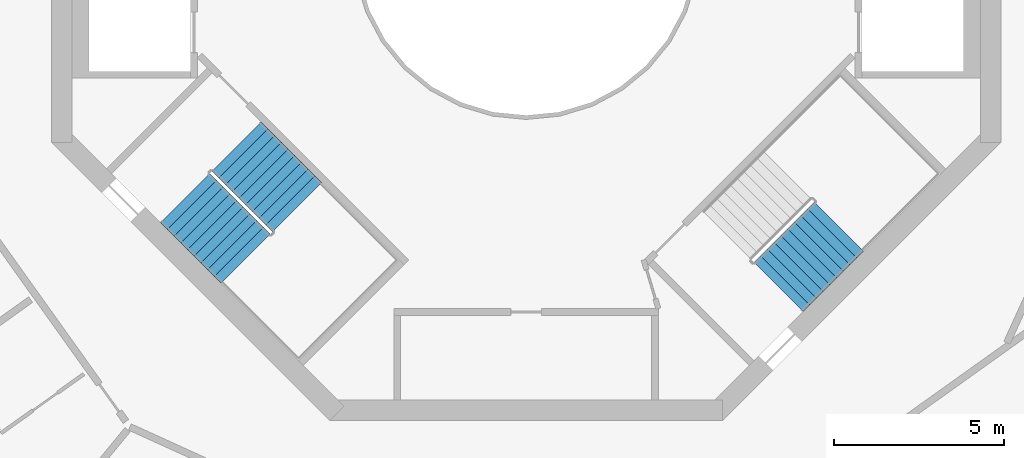
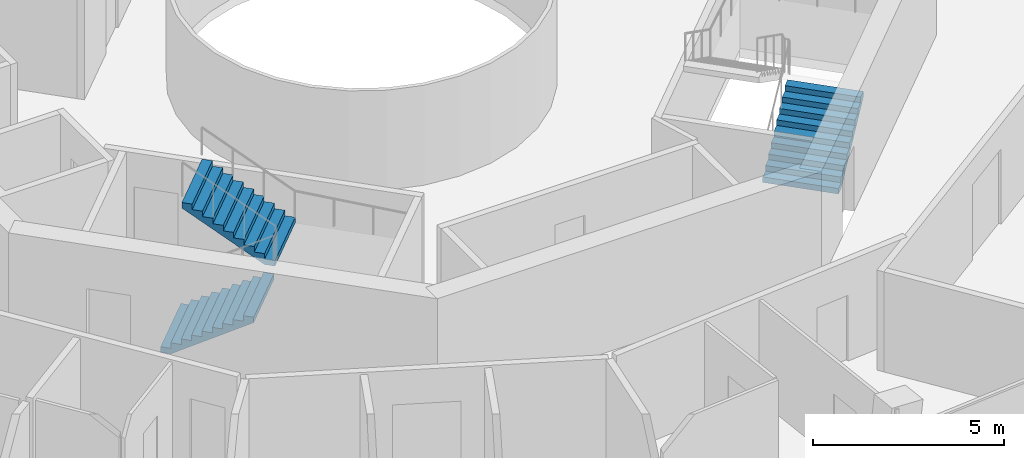
# One storey, part 20 of 22: 3 stair flights, 2 elements without a shape of their own.
"""IFC4 building model written with IfcOpenShell, lengths in metres."""

from ifc_helpers import new_model, si_unit, direction, frame, origin, place, context, subcontext, project, spatial, triangles, material, type_object, element, aggregate, save


model = new_model("IFC4")

# Units and contexts
model_context = context("Model", 3, precision=1e-05, world=origin(), true_north=direction((0.0, 1.0)))
body_context = subcontext(model_context, "Body", "Model", "MODEL_VIEW")
ifc_project = project(units=[si_unit("LENGTHUNIT", "METRE"), si_unit("AREAUNIT", "SQUARE_METRE"), si_unit("VOLUMEUNIT", "CUBIC_METRE"), si_unit("PLANEANGLEUNIT", "RADIAN"), si_unit("MASSUNIT", "GRAM", prefix="KILO")], contexts=[model_context])

# Site, building, storey
site_placement = place(None, origin())
site = spatial("IfcSite", under=ifc_project, at=site_placement, CompositionType="ELEMENT")
building_placement = place(site_placement, origin())
building = spatial("IfcBuilding", under=site, at=building_placement, Name="Verdalira Terraces Hotel", CompositionType="ELEMENT")
storey_placement = place(building_placement, frame((0.0, 0.0, 180.0)))
storey = spatial("IfcBuildingStorey", under=building, at=storey_placement, Name="L43", CompositionType="ELEMENT", Elevation=180.0)

# Stair, stair flights
ifc_material_1 = material(Name="Concrete C40", Category="concrete")
stair_type = type_object("IfcStairType", Name="Core stair 20 risers 2050 mm wide", PredefinedType="HALF_TURN_STAIR", material=ifc_material_1)
stair_1_placement = place(storey_placement, origin())
stair_1 = element("IfcStair", 1, at=stair_1_placement, inside=storey, type_object=stair_type, Name="L43 Exit stair ST2", PredefinedType="HALF_TURN_STAIR")
ifc_material_2 = material(Name="Concrete C40", Category="concrete")
stair_flight_type = type_object("IfcStairFlightType", Name="Core stair flight 20 risers 2050 mm wide", PredefinedType="STRAIGHT", material=ifc_material_2)
stair_flight_1_placement = place(storey_placement, frame((-10.058594, -7.442383, 0.0), z_axis=(0.0, 0.0, 1.0), x_axis=(0.707106781, -0.707106781, 0.0)))
stair_flight_1 = element("IfcStairFlight", 2, at=stair_flight_1_placement, type_object=stair_flight_type, Name="ST2 flight 1", NumberOfRisers=10, NumberOfTreads=9, PredefinedType="STRAIGHT", RiserHeight=0.175, TreadLength=0.28, context=body_context, shape_type="Tessellation", body=[
    triangles([(0.0, 1.025024, 0.0), (0.282715, 1.025024, 0.0), (2.52002, 1.025024, 1.398193), (0.0, -1.025024, 0.0), (0.282715, -1.025024, 0.0), (2.52002, -1.025024, 1.398193), (2.52002, 1.025024, 1.574951), (2.23999, 1.025024, 1.574951), (2.52002, -1.025024, 1.574951), (2.23999, -1.025024, 1.574951), (2.23999, 1.025024, 1.399902), (2.23999, -1.025024, 1.399902), (1.959961, 1.025024, 1.399902), (1.959961, -1.025024, 1.399902), (1.959961, 1.025024, 1.225098), (1.959961, -1.025024, 1.225098), (1.679932, 1.025024, 1.225098), (1.679932, 1.025024, 1.050049), (1.679932, -1.025024, 1.225098), (1.679932, -1.025024, 1.050049), (1.399902, 1.025024, 1.050049), (1.399902, 1.025024, 0.875), (1.399902, -1.025024, 1.050049), (1.399902, -1.025024, 0.875), (1.120117, 1.025024, 0.875), (1.120117, 1.025024, 0.699951), (1.120117, -1.025024, 0.875), (1.120117, -1.025024, 0.699951), (0.840088, 1.025024, 0.699951), (0.840088, 1.025024, 0.524902), (0.840088, -1.025024, 0.699951), (0.840088, -1.025024, 0.524902), (0.560059, 1.025024, 0.524902), (0.560059, 1.025024, 0.350098), (0.560059, -1.025024, 0.524902), (0.560059, -1.025024, 0.350098), (0.280029, 1.025024, 0.350098), (0.280029, 1.025024, 0.175049), (0.280029, -1.025024, 0.350098), (0.280029, -1.025024, 0.175049), (0.0, 1.025024, 0.175049), (0.0, -1.025024, 0.175049), (0.0, -0.96096, 0.0), (0.0, -0.96096, 0.175049), (0.0, -0.896896, 0.0), (0.0, -0.896896, 0.175049), (0.0, -0.832832, 0.0), (0.0, -0.832832, 0.175049), (0.0, -0.768768, 0.0), (0.0, -0.768768, 0.175049), (0.0, -0.704704, 0.0), (0.0, -0.704704, 0.175049), (0.0, -0.64064, 0.0), (0.0, -0.64064, 0.175049), (0.0, -0.576576, 0.0), (0.0, -0.576576, 0.175049), (0.0, -0.512512, 0.0), (0.0, -0.512512, 0.175049), (0.0, -0.448448, 0.0), (0.0, -0.448448, 0.175049), (0.0, -0.384384, 0.0), (0.0, -0.384384, 0.175049), (0.0, -0.32032, 0.0), (0.0, -0.32032, 0.175049), (0.0, -0.256256, 0.0), (0.0, -0.256256, 0.175049), (0.0, -0.192192, 0.0), (0.0, -0.192192, 0.175049), (0.0, -0.128128, 0.0), (0.0, -0.128128, 0.175049), (0.0, -0.064064, 0.0), (0.0, -0.064064, 0.175049), (0.0, 0.0, 0.0), (0.0, 0.0, 0.175049), (0.0, 0.064064, 0.0), (0.0, 0.064064, 0.175049), (0.0, 0.128128, 0.0), (0.0, 0.128128, 0.175049), (0.0, 0.192192, 0.0), (0.0, 0.192192, 0.175049), (0.0, 0.256256, 0.0), (0.0, 0.256256, 0.175049), (0.0, 0.32032, 0.0), (0.0, 0.32032, 0.175049), (0.0, 0.384384, 0.0), (0.0, 0.384384, 0.175049), (0.0, 0.448448, 0.0), (0.0, 0.448448, 0.175049), (0.0, 0.512512, 0.0), (0.0, 0.512512, 0.175049), (0.0, 0.576576, 0.0), (0.0, 0.576576, 0.175049), (0.0, 0.64064, 0.0), (0.0, 0.64064, 0.175049), (0.0, 0.704704, 0.0), (0.0, 0.704704, 0.175049), (0.0, 0.768768, 0.0), (0.0, 0.768768, 0.175049), (0.0, 0.832832, 0.0), (0.0, 0.832832, 0.175049), (0.0, 0.896896, 0.0), (0.0, 0.896896, 0.175049), (0.0, 0.96096, 0.0), (0.0, 0.96096, 0.175049), (2.52002, -0.96096, 1.574951), (2.52002, -0.896896, 1.574951), (2.52002, -0.832832, 1.574951), (2.52002, -0.768768, 1.574951), (2.52002, -0.704704, 1.574951), (2.52002, -0.64064, 1.574951), (2.52002, -0.576576, 1.574951), (2.52002, -0.512512, 1.574951), (2.52002, -0.448448, 1.574951), (2.52002, -0.384384, 1.574951), (2.52002, -0.32032, 1.574951), (2.52002, -0.256256, 1.574951), (2.52002, -0.192192, 1.574951), (2.52002, -0.128128, 1.574951), (2.52002, -0.064064, 1.574951), (2.52002, 0.0, 1.574951), (2.52002, 0.064064, 1.574951), (2.52002, 0.128128, 1.574951), (2.52002, 0.192192, 1.574951), (2.52002, 0.256256, 1.574951), (2.52002, 0.32032, 1.574951), (2.52002, 0.384384, 1.574951), (2.52002, 0.448448, 1.574951), (2.52002, 0.512512, 1.574951), (2.52002, 0.576576, 1.574951), (2.52002, 0.64064, 1.574951), (2.52002, 0.704704, 1.574951), (2.52002, 0.768768, 1.574951), (2.52002, 0.832832, 1.574951), (2.52002, 0.896896, 1.574951), (2.52002, 0.96096, 1.574951), (2.52002, -0.96096, 1.398193), (2.52002, -0.896896, 1.398193), (2.52002, -0.832832, 1.398193), (2.52002, -0.768768, 1.398193), (2.52002, -0.704704, 1.398193), (2.52002, -0.64064, 1.398193), (2.52002, -0.576576, 1.398193), (2.52002, -0.512512, 1.398193), (2.52002, -0.448448, 1.398193), (2.52002, -0.384384, 1.398193), (2.52002, -0.32032, 1.398193), (2.52002, -0.256256, 1.398193), (2.52002, -0.192192, 1.398193), (2.52002, -0.128128, 1.398193), (2.52002, -0.064064, 1.398193), (2.52002, 0.0, 1.398193), (2.52002, 0.064064, 1.398193), (2.52002, 0.128128, 1.398193), (2.52002, 0.192192, 1.398193), (2.52002, 0.256256, 1.398193), (2.52002, 0.32032, 1.398193), (2.52002, 0.384384, 1.398193), (2.52002, 0.448448, 1.398193), (2.52002, 0.512512, 1.398193), (2.52002, 0.576576, 1.398193), (2.52002, 0.64064, 1.398193), (2.52002, 0.704704, 1.398193), (2.52002, 0.768768, 1.398193), (2.52002, 0.832832, 1.398193), (2.52002, 0.896896, 1.398193), (2.52002, 0.96096, 1.398193)], [[1, 3, 2], [4, 5, 6], [3, 8, 7], [6, 9, 10], [3, 11, 8], [6, 10, 12], [3, 13, 11], [6, 12, 14], [3, 15, 13], [6, 14, 16], [15, 18, 17], [16, 19, 20], [3, 18, 15], [6, 16, 20], [18, 22, 21], [20, 23, 24], [3, 22, 18], [6, 20, 24], [22, 26, 25], [24, 27, 28], [3, 26, 22], [6, 24, 28], [26, 30, 29], [28, 31, 32], [3, 30, 26], [6, 28, 32], [1, 30, 3], [4, 6, 32], [30, 34, 33], [32, 35, 36], [34, 38, 37], [36, 39, 40], [30, 38, 34], [32, 36, 40], [1, 38, 30], [4, 32, 40], [38, 1, 41], [40, 42, 4], [4, 44, 43], [4, 42, 44], [43, 46, 45], [43, 44, 46], [45, 48, 47], [45, 46, 48], [47, 50, 49], [47, 48, 50], [49, 52, 51], [49, 50, 52], [51, 54, 53], [51, 52, 54], [53, 56, 55], [53, 54, 56], [55, 58, 57], [55, 56, 58], [57, 60, 59], [57, 58, 60], [59, 62, 61], [59, 60, 62], [61, 64, 63], [61, 62, 64], [63, 66, 65], [63, 64, 66], [65, 68, 67], [65, 66, 68], [67, 70, 69], [67, 68, 70], [69, 72, 71], [69, 70, 72], [71, 74, 73], [71, 72, 74], [73, 76, 75], [73, 74, 76], [75, 78, 77], [75, 76, 78], [77, 80, 79], [77, 78, 80], [79, 82, 81], [79, 80, 82], [81, 84, 83], [81, 82, 84], [83, 86, 85], [83, 84, 86], [85, 88, 87], [85, 86, 88], [87, 90, 89], [87, 88, 90], [89, 92, 91], [89, 90, 92], [91, 94, 93], [91, 92, 94], [93, 96, 95], [93, 94, 96], [95, 98, 97], [95, 96, 98], [97, 100, 99], [97, 98, 100], [99, 102, 101], [99, 100, 102], [101, 104, 103], [101, 102, 104], [103, 41, 1], [103, 104, 41], [42, 40, 44], [44, 40, 46], [46, 40, 48], [48, 40, 50], [50, 40, 52], [52, 40, 54], [54, 40, 56], [56, 40, 58], [58, 40, 60], [60, 40, 62], [62, 40, 64], [64, 40, 66], [66, 40, 68], [68, 40, 70], [70, 40, 72], [72, 40, 74], [74, 40, 76], [76, 40, 78], [78, 40, 80], [80, 40, 82], [82, 40, 84], [84, 40, 86], [86, 40, 88], [88, 40, 90], [90, 40, 92], [92, 40, 94], [94, 40, 96], [96, 40, 98], [98, 40, 100], [100, 40, 102], [102, 40, 104], [104, 40, 41], [41, 40, 38], [40, 37, 38], [40, 39, 37], [39, 34, 37], [39, 36, 34], [36, 33, 34], [36, 35, 33], [35, 30, 33], [35, 32, 30], [32, 29, 30], [32, 31, 29], [31, 26, 29], [31, 28, 26], [28, 25, 26], [28, 27, 25], [27, 22, 25], [27, 24, 22], [24, 21, 22], [24, 23, 21], [23, 18, 21], [23, 20, 18], [20, 17, 18], [20, 19, 17], [19, 15, 17], [19, 16, 15], [16, 13, 15], [16, 14, 13], [14, 11, 13], [14, 12, 11], [12, 8, 11], [12, 10, 8], [9, 105, 10], [105, 106, 10], [106, 107, 10], [107, 108, 10], [108, 109, 10], [109, 110, 10], [110, 111, 10], [111, 112, 10], [112, 113, 10], [113, 114, 10], [114, 115, 10], [115, 116, 10], [116, 117, 10], [117, 118, 10], [118, 119, 10], [119, 120, 10], [120, 121, 10], [121, 122, 10], [122, 123, 10], [123, 124, 10], [124, 125, 10], [125, 126, 10], [126, 127, 10], [127, 128, 10], [128, 129, 10], [129, 130, 10], [130, 131, 10], [131, 132, 10], [132, 133, 10], [133, 134, 10], [134, 135, 10], [135, 7, 10], [7, 8, 10], [9, 136, 105], [9, 6, 136], [105, 137, 106], [105, 136, 137], [106, 138, 107], [106, 137, 138], [107, 139, 108], [107, 138, 139], [108, 140, 109], [108, 139, 140], [109, 141, 110], [109, 140, 141], [110, 142, 111], [110, 141, 142], [111, 143, 112], [111, 142, 143], [112, 144, 113], [112, 143, 144], [113, 145, 114], [113, 144, 145], [114, 146, 115], [114, 145, 146], [115, 147, 116], [115, 146, 147], [116, 148, 117], [116, 147, 148], [117, 149, 118], [117, 148, 149], [118, 150, 119], [118, 149, 150], [119, 151, 120], [119, 150, 151], [120, 152, 121], [120, 151, 152], [121, 153, 122], [121, 152, 153], [122, 154, 123], [122, 153, 154], [123, 155, 124], [123, 154, 155], [124, 156, 125], [124, 155, 156], [125, 157, 126], [125, 156, 157], [126, 158, 127], [126, 157, 158], [127, 159, 128], [127, 158, 159], [128, 160, 129], [128, 159, 160], [129, 161, 130], [129, 160, 161], [130, 162, 131], [130, 161, 162], [131, 163, 132], [131, 162, 163], [132, 164, 133], [132, 163, 164], [133, 165, 134], [133, 164, 165], [134, 166, 135], [134, 165, 166], [135, 3, 7], [135, 166, 3], [6, 5, 136], [136, 5, 137], [137, 5, 138], [138, 5, 139], [139, 5, 140], [140, 5, 141], [141, 5, 142], [142, 5, 143], [143, 5, 144], [144, 5, 145], [145, 5, 146], [146, 5, 147], [147, 5, 148], [148, 5, 149], [149, 5, 150], [150, 5, 151], [151, 5, 152], [152, 5, 153], [153, 5, 154], [154, 5, 155], [155, 5, 156], [156, 5, 157], [157, 5, 158], [158, 5, 159], [159, 5, 160], [160, 5, 161], [161, 5, 162], [162, 5, 163], [163, 5, 164], [164, 5, 165], [165, 5, 166], [166, 5, 3], [3, 5, 2], [4, 43, 5], [43, 45, 5], [45, 47, 5], [47, 49, 5], [49, 51, 5], [51, 53, 5], [53, 55, 5], [55, 57, 5], [57, 59, 5], [59, 61, 5], [61, 63, 5], [63, 65, 5], [65, 67, 5], [67, 69, 5], [69, 71, 5], [71, 73, 5], [73, 75, 5], [75, 77, 5], [77, 79, 5], [79, 81, 5], [81, 83, 5], [83, 85, 5], [85, 87, 5], [87, 89, 5], [89, 91, 5], [91, 93, 5], [93, 95, 5], [95, 97, 5], [97, 99, 5], [99, 101, 5], [101, 103, 5], [103, 1, 5], [1, 2, 5]], closed=True),
])
stair_flight_2_placement = place(storey_placement, frame((-6.756348, -7.703857, 1.75), z_axis=(0.0, 0.0, 1.0), x_axis=(-0.707106781, 0.707106781, 0.0)))
stair_flight_2 = element("IfcStairFlight", 3, at=stair_flight_2_placement, type_object=stair_flight_type, Name="ST2 flight 2", NumberOfRisers=10, NumberOfTreads=9, PredefinedType="STRAIGHT", RiserHeight=0.175, TreadLength=0.28, context=body_context, shape_type="Tessellation", body=[
    triangles([(0.0, 1.025024, 0.0), (0.282715, 1.025024, 0.0), (2.52002, 1.025024, 1.398193), (0.0, -1.025024, 0.0), (0.282715, -1.025024, 0.0), (2.52002, -1.025024, 1.398193), (2.52002, 1.025024, 1.574951), (2.23999, 1.025024, 1.574951), (2.52002, -1.025024, 1.574951), (2.23999, -1.025024, 1.574951), (2.23999, 1.025024, 1.399902), (2.23999, -1.025024, 1.399902), (1.959961, 1.025024, 1.399902), (1.959961, -1.025024, 1.399902), (1.959961, 1.025024, 1.225098), (1.959961, -1.025024, 1.225098), (1.679932, 1.025024, 1.225098), (1.679932, 1.025024, 1.050049), (1.679932, -1.025024, 1.225098), (1.679932, -1.025024, 1.050049), (1.399902, 1.025024, 1.050049), (1.399902, 1.025024, 0.875), (1.399902, -1.025024, 1.050049), (1.399902, -1.025024, 0.875), (1.120117, 1.025024, 0.875), (1.120117, 1.025024, 0.699951), (1.120117, -1.025024, 0.875), (1.120117, -1.025024, 0.699951), (0.840088, 1.025024, 0.699951), (0.840088, 1.025024, 0.524902), (0.840088, -1.025024, 0.699951), (0.840088, -1.025024, 0.524902), (0.560059, 1.025024, 0.524902), (0.560059, 1.025024, 0.350098), (0.560059, -1.025024, 0.524902), (0.560059, -1.025024, 0.350098), (0.280029, 1.025024, 0.350098), (0.280029, 1.025024, 0.175049), (0.280029, -1.025024, 0.350098), (0.280029, -1.025024, 0.175049), (0.0, 1.025024, 0.175049), (0.0, -1.025024, 0.175049), (0.0, -0.96096, 0.0), (0.0, -0.96096, 0.175049), (0.0, -0.896896, 0.0), (0.0, -0.896896, 0.175049), (0.0, -0.832832, 0.0), (0.0, -0.832832, 0.175049), (0.0, -0.768768, 0.0), (0.0, -0.768768, 0.175049), (0.0, -0.704704, 0.0), (0.0, -0.704704, 0.175049), (0.0, -0.64064, 0.0), (0.0, -0.64064, 0.175049), (0.0, -0.576576, 0.0), (0.0, -0.576576, 0.175049), (0.0, -0.512512, 0.0), (0.0, -0.512512, 0.175049), (0.0, -0.448448, 0.0), (0.0, -0.448448, 0.175049), (0.0, -0.384384, 0.0), (0.0, -0.384384, 0.175049), (0.0, -0.32032, 0.0), (0.0, -0.32032, 0.175049), (0.0, -0.256256, 0.0), (0.0, -0.256256, 0.175049), (0.0, -0.192192, 0.0), (0.0, -0.192192, 0.175049), (0.0, -0.128128, 0.0), (0.0, -0.128128, 0.175049), (0.0, -0.064064, 0.0), (0.0, -0.064064, 0.175049), (0.0, 0.0, 0.0), (0.0, 0.0, 0.175049), (0.0, 0.064064, 0.0), (0.0, 0.064064, 0.175049), (0.0, 0.128128, 0.0), (0.0, 0.128128, 0.175049), (0.0, 0.192192, 0.0), (0.0, 0.192192, 0.175049), (0.0, 0.256256, 0.0), (0.0, 0.256256, 0.175049), (0.0, 0.32032, 0.0), (0.0, 0.32032, 0.175049), (0.0, 0.384384, 0.0), (0.0, 0.384384, 0.175049), (0.0, 0.448448, 0.0), (0.0, 0.448448, 0.175049), (0.0, 0.512512, 0.0), (0.0, 0.512512, 0.175049), (0.0, 0.576576, 0.0), (0.0, 0.576576, 0.175049), (0.0, 0.64064, 0.0), (0.0, 0.64064, 0.175049), (0.0, 0.704704, 0.0), (0.0, 0.704704, 0.175049), (0.0, 0.768768, 0.0), (0.0, 0.768768, 0.175049), (0.0, 0.832832, 0.0), (0.0, 0.832832, 0.175049), (0.0, 0.896896, 0.0), (0.0, 0.896896, 0.175049), (0.0, 0.96096, 0.0), (0.0, 0.96096, 0.175049), (2.52002, -0.96096, 1.574951), (2.52002, -0.896896, 1.574951), (2.52002, -0.832832, 1.574951), (2.52002, -0.768768, 1.574951), (2.52002, -0.704704, 1.574951), (2.52002, -0.64064, 1.574951), (2.52002, -0.576576, 1.574951), (2.52002, -0.512512, 1.574951), (2.52002, -0.448448, 1.574951), (2.52002, -0.384384, 1.574951), (2.52002, -0.32032, 1.574951), (2.52002, -0.256256, 1.574951), (2.52002, -0.192192, 1.574951), (2.52002, -0.128128, 1.574951), (2.52002, -0.064064, 1.574951), (2.52002, 0.0, 1.574951), (2.52002, 0.064064, 1.574951), (2.52002, 0.128128, 1.574951), (2.52002, 0.192192, 1.574951), (2.52002, 0.256256, 1.574951), (2.52002, 0.32032, 1.574951), (2.52002, 0.384384, 1.574951), (2.52002, 0.448448, 1.574951), (2.52002, 0.512512, 1.574951), (2.52002, 0.576576, 1.574951), (2.52002, 0.64064, 1.574951), (2.52002, 0.704704, 1.574951), (2.52002, 0.768768, 1.574951), (2.52002, 0.832832, 1.574951), (2.52002, 0.896896, 1.574951), (2.52002, 0.96096, 1.574951), (2.52002, -0.96096, 1.398193), (2.52002, -0.896896, 1.398193), (2.52002, -0.832832, 1.398193), (2.52002, -0.768768, 1.398193), (2.52002, -0.704704, 1.398193), (2.52002, -0.64064, 1.398193), (2.52002, -0.576576, 1.398193), (2.52002, -0.512512, 1.398193), (2.52002, -0.448448, 1.398193), (2.52002, -0.384384, 1.398193), (2.52002, -0.32032, 1.398193), (2.52002, -0.256256, 1.398193), (2.52002, -0.192192, 1.398193), (2.52002, -0.128128, 1.398193), (2.52002, -0.064064, 1.398193), (2.52002, 0.0, 1.398193), (2.52002, 0.064064, 1.398193), (2.52002, 0.128128, 1.398193), (2.52002, 0.192192, 1.398193), (2.52002, 0.256256, 1.398193), (2.52002, 0.32032, 1.398193), (2.52002, 0.384384, 1.398193), (2.52002, 0.448448, 1.398193), (2.52002, 0.512512, 1.398193), (2.52002, 0.576576, 1.398193), (2.52002, 0.64064, 1.398193), (2.52002, 0.704704, 1.398193), (2.52002, 0.768768, 1.398193), (2.52002, 0.832832, 1.398193), (2.52002, 0.896896, 1.398193), (2.52002, 0.96096, 1.398193)], [[1, 3, 2], [4, 5, 6], [3, 8, 7], [6, 9, 10], [3, 11, 8], [6, 10, 12], [3, 13, 11], [6, 12, 14], [3, 15, 13], [6, 14, 16], [15, 18, 17], [16, 19, 20], [3, 18, 15], [6, 16, 20], [18, 22, 21], [20, 23, 24], [3, 22, 18], [6, 20, 24], [22, 26, 25], [24, 27, 28], [3, 26, 22], [6, 24, 28], [26, 30, 29], [28, 31, 32], [3, 30, 26], [6, 28, 32], [1, 30, 3], [4, 6, 32], [30, 34, 33], [32, 35, 36], [34, 38, 37], [36, 39, 40], [30, 38, 34], [32, 36, 40], [1, 38, 30], [4, 32, 40], [38, 1, 41], [40, 42, 4], [4, 44, 43], [4, 42, 44], [43, 46, 45], [43, 44, 46], [45, 48, 47], [45, 46, 48], [47, 50, 49], [47, 48, 50], [49, 52, 51], [49, 50, 52], [51, 54, 53], [51, 52, 54], [53, 56, 55], [53, 54, 56], [55, 58, 57], [55, 56, 58], [57, 60, 59], [57, 58, 60], [59, 62, 61], [59, 60, 62], [61, 64, 63], [61, 62, 64], [63, 66, 65], [63, 64, 66], [65, 68, 67], [65, 66, 68], [67, 70, 69], [67, 68, 70], [69, 72, 71], [69, 70, 72], [71, 74, 73], [71, 72, 74], [73, 76, 75], [73, 74, 76], [75, 78, 77], [75, 76, 78], [77, 80, 79], [77, 78, 80], [79, 82, 81], [79, 80, 82], [81, 84, 83], [81, 82, 84], [83, 86, 85], [83, 84, 86], [85, 88, 87], [85, 86, 88], [87, 90, 89], [87, 88, 90], [89, 92, 91], [89, 90, 92], [91, 94, 93], [91, 92, 94], [93, 96, 95], [93, 94, 96], [95, 98, 97], [95, 96, 98], [97, 100, 99], [97, 98, 100], [99, 102, 101], [99, 100, 102], [101, 104, 103], [101, 102, 104], [103, 41, 1], [103, 104, 41], [42, 40, 44], [44, 40, 46], [46, 40, 48], [48, 40, 50], [50, 40, 52], [52, 40, 54], [54, 40, 56], [56, 40, 58], [58, 40, 60], [60, 40, 62], [62, 40, 64], [64, 40, 66], [66, 40, 68], [68, 40, 70], [70, 40, 72], [72, 40, 74], [74, 40, 76], [76, 40, 78], [78, 40, 80], [80, 40, 82], [82, 40, 84], [84, 40, 86], [86, 40, 88], [88, 40, 90], [90, 40, 92], [92, 40, 94], [94, 40, 96], [96, 40, 98], [98, 40, 100], [100, 40, 102], [102, 40, 104], [104, 40, 41], [41, 40, 38], [40, 37, 38], [40, 39, 37], [39, 34, 37], [39, 36, 34], [36, 33, 34], [36, 35, 33], [35, 30, 33], [35, 32, 30], [32, 29, 30], [32, 31, 29], [31, 26, 29], [31, 28, 26], [28, 25, 26], [28, 27, 25], [27, 22, 25], [27, 24, 22], [24, 21, 22], [24, 23, 21], [23, 18, 21], [23, 20, 18], [20, 17, 18], [20, 19, 17], [19, 15, 17], [19, 16, 15], [16, 13, 15], [16, 14, 13], [14, 11, 13], [14, 12, 11], [12, 8, 11], [12, 10, 8], [9, 105, 10], [105, 106, 10], [106, 107, 10], [107, 108, 10], [108, 109, 10], [109, 110, 10], [110, 111, 10], [111, 112, 10], [112, 113, 10], [113, 114, 10], [114, 115, 10], [115, 116, 10], [116, 117, 10], [117, 118, 10], [118, 119, 10], [119, 120, 10], [120, 121, 10], [121, 122, 10], [122, 123, 10], [123, 124, 10], [124, 125, 10], [125, 126, 10], [126, 127, 10], [127, 128, 10], [128, 129, 10], [129, 130, 10], [130, 131, 10], [131, 132, 10], [132, 133, 10], [133, 134, 10], [134, 135, 10], [135, 7, 10], [7, 8, 10], [9, 136, 105], [9, 6, 136], [105, 137, 106], [105, 136, 137], [106, 138, 107], [106, 137, 138], [107, 139, 108], [107, 138, 139], [108, 140, 109], [108, 139, 140], [109, 141, 110], [109, 140, 141], [110, 142, 111], [110, 141, 142], [111, 143, 112], [111, 142, 143], [112, 144, 113], [112, 143, 144], [113, 145, 114], [113, 144, 145], [114, 146, 115], [114, 145, 146], [115, 147, 116], [115, 146, 147], [116, 148, 117], [116, 147, 148], [117, 149, 118], [117, 148, 149], [118, 150, 119], [118, 149, 150], [119, 151, 120], [119, 150, 151], [120, 152, 121], [120, 151, 152], [121, 153, 122], [121, 152, 153], [122, 154, 123], [122, 153, 154], [123, 155, 124], [123, 154, 155], [124, 156, 125], [124, 155, 156], [125, 157, 126], [125, 156, 157], [126, 158, 127], [126, 157, 158], [127, 159, 128], [127, 158, 159], [128, 160, 129], [128, 159, 160], [129, 161, 130], [129, 160, 161], [130, 162, 131], [130, 161, 162], [131, 163, 132], [131, 162, 163], [132, 164, 133], [132, 163, 164], [133, 165, 134], [133, 164, 165], [134, 166, 135], [134, 165, 166], [135, 3, 7], [135, 166, 3], [6, 5, 136], [136, 5, 137], [137, 5, 138], [138, 5, 139], [139, 5, 140], [140, 5, 141], [141, 5, 142], [142, 5, 143], [143, 5, 144], [144, 5, 145], [145, 5, 146], [146, 5, 147], [147, 5, 148], [148, 5, 149], [149, 5, 150], [150, 5, 151], [151, 5, 152], [152, 5, 153], [153, 5, 154], [154, 5, 155], [155, 5, 156], [156, 5, 157], [157, 5, 158], [158, 5, 159], [159, 5, 160], [160, 5, 161], [161, 5, 162], [162, 5, 163], [163, 5, 164], [164, 5, 165], [165, 5, 166], [166, 5, 3], [3, 5, 2], [4, 43, 5], [43, 45, 5], [45, 47, 5], [47, 49, 5], [49, 51, 5], [51, 53, 5], [53, 55, 5], [55, 57, 5], [57, 59, 5], [59, 61, 5], [61, 63, 5], [63, 65, 5], [65, 67, 5], [67, 69, 5], [69, 71, 5], [71, 73, 5], [73, 75, 5], [75, 77, 5], [77, 79, 5], [79, 81, 5], [81, 83, 5], [83, 85, 5], [85, 87, 5], [87, 89, 5], [89, 91, 5], [91, 93, 5], [93, 95, 5], [95, 97, 5], [97, 99, 5], [99, 101, 5], [101, 103, 5], [103, 1, 5], [1, 2, 5]], closed=True),
])
aggregate(stair_1, [stair_flight_1, stair_flight_2])

# Stair, stair flight
stair_2_placement = place(storey_placement, origin())
stair_2 = element("IfcStair", 4, at=stair_2_placement, inside=storey, type_object=stair_type, Name="L43 Exit stair ST3", PredefinedType="HALF_TURN_STAIR")
stair_flight_3_placement = place(storey_placement, frame((7.442383, -10.058594, 0.0), z_axis=(0.0, 0.0, 1.0), x_axis=(0.707106781, 0.707106781, 0.0)))
stair_flight_3 = element("IfcStairFlight", 5, at=stair_flight_3_placement, type_object=stair_flight_type, Name="ST3 flight 1", NumberOfRisers=10, NumberOfTreads=9, PredefinedType="STRAIGHT", RiserHeight=0.175, TreadLength=0.28, context=body_context, shape_type="Tessellation", body=[
    triangles([(0.0, 1.025024, 0.0), (0.282715, 1.025024, 0.0), (2.52002, 1.025024, 1.398193), (0.0, -1.025024, 0.0), (0.282715, -1.025024, 0.0), (2.52002, -1.025024, 1.398193), (2.52002, 1.025024, 1.574951), (2.23999, 1.025024, 1.574951), (2.52002, -1.025024, 1.574951), (2.23999, -1.025024, 1.574951), (2.23999, 1.025024, 1.399902), (2.23999, -1.025024, 1.399902), (1.959961, 1.025024, 1.399902), (1.959961, -1.025024, 1.399902), (1.959961, 1.025024, 1.225098), (1.959961, -1.025024, 1.225098), (1.679932, 1.025024, 1.225098), (1.679932, 1.025024, 1.050049), (1.679932, -1.025024, 1.225098), (1.679932, -1.025024, 1.050049), (1.399902, 1.025024, 1.050049), (1.399902, 1.025024, 0.875), (1.399902, -1.025024, 1.050049), (1.399902, -1.025024, 0.875), (1.120117, 1.025024, 0.875), (1.120117, 1.025024, 0.699951), (1.120117, -1.025024, 0.875), (1.120117, -1.025024, 0.699951), (0.840088, 1.025024, 0.699951), (0.840088, 1.025024, 0.524902), (0.840088, -1.025024, 0.699951), (0.840088, -1.025024, 0.524902), (0.560059, 1.025024, 0.524902), (0.560059, 1.025024, 0.350098), (0.560059, -1.025024, 0.524902), (0.560059, -1.025024, 0.350098), (0.280029, 1.025024, 0.350098), (0.280029, 1.025024, 0.175049), (0.280029, -1.025024, 0.350098), (0.280029, -1.025024, 0.175049), (0.0, 1.025024, 0.175049), (0.0, -1.025024, 0.175049), (0.0, -0.96096, 0.0), (0.0, -0.96096, 0.175049), (0.0, -0.896896, 0.0), (0.0, -0.896896, 0.175049), (0.0, -0.832832, 0.0), (0.0, -0.832832, 0.175049), (0.0, -0.768768, 0.0), (0.0, -0.768768, 0.175049), (0.0, -0.704704, 0.0), (0.0, -0.704704, 0.175049), (0.0, -0.64064, 0.0), (0.0, -0.64064, 0.175049), (0.0, -0.576576, 0.0), (0.0, -0.576576, 0.175049), (0.0, -0.512512, 0.0), (0.0, -0.512512, 0.175049), (0.0, -0.448448, 0.0), (0.0, -0.448448, 0.175049), (0.0, -0.384384, 0.0), (0.0, -0.384384, 0.175049), (0.0, -0.32032, 0.0), (0.0, -0.32032, 0.175049), (0.0, -0.256256, 0.0), (0.0, -0.256256, 0.175049), (0.0, -0.192192, 0.0), (0.0, -0.192192, 0.175049), (0.0, -0.128128, 0.0), (0.0, -0.128128, 0.175049), (0.0, -0.064064, 0.0), (0.0, -0.064064, 0.175049), (0.0, 0.0, 0.0), (0.0, 0.0, 0.175049), (0.0, 0.064064, 0.0), (0.0, 0.064064, 0.175049), (0.0, 0.128128, 0.0), (0.0, 0.128128, 0.175049), (0.0, 0.192192, 0.0), (0.0, 0.192192, 0.175049), (0.0, 0.256256, 0.0), (0.0, 0.256256, 0.175049), (0.0, 0.32032, 0.0), (0.0, 0.32032, 0.175049), (0.0, 0.384384, 0.0), (0.0, 0.384384, 0.175049), (0.0, 0.448448, 0.0), (0.0, 0.448448, 0.175049), (0.0, 0.512512, 0.0), (0.0, 0.512512, 0.175049), (0.0, 0.576576, 0.0), (0.0, 0.576576, 0.175049), (0.0, 0.64064, 0.0), (0.0, 0.64064, 0.175049), (0.0, 0.704704, 0.0), (0.0, 0.704704, 0.175049), (0.0, 0.768768, 0.0), (0.0, 0.768768, 0.175049), (0.0, 0.832832, 0.0), (0.0, 0.832832, 0.175049), (0.0, 0.896896, 0.0), (0.0, 0.896896, 0.175049), (0.0, 0.96096, 0.0), (0.0, 0.96096, 0.175049), (2.52002, -0.96096, 1.574951), (2.52002, -0.896896, 1.574951), (2.52002, -0.832832, 1.574951), (2.52002, -0.768768, 1.574951), (2.52002, -0.704704, 1.574951), (2.52002, -0.64064, 1.574951), (2.52002, -0.576576, 1.574951), (2.52002, -0.512512, 1.574951), (2.52002, -0.448448, 1.574951), (2.52002, -0.384384, 1.574951), (2.52002, -0.32032, 1.574951), (2.52002, -0.256256, 1.574951), (2.52002, -0.192192, 1.574951), (2.52002, -0.128128, 1.574951), (2.52002, -0.064064, 1.574951), (2.52002, 0.0, 1.574951), (2.52002, 0.064064, 1.574951), (2.52002, 0.128128, 1.574951), (2.52002, 0.192192, 1.574951), (2.52002, 0.256256, 1.574951), (2.52002, 0.32032, 1.574951), (2.52002, 0.384384, 1.574951), (2.52002, 0.448448, 1.574951), (2.52002, 0.512512, 1.574951), (2.52002, 0.576576, 1.574951), (2.52002, 0.64064, 1.574951), (2.52002, 0.704704, 1.574951), (2.52002, 0.768768, 1.574951), (2.52002, 0.832832, 1.574951), (2.52002, 0.896896, 1.574951), (2.52002, 0.96096, 1.574951), (2.52002, -0.96096, 1.398193), (2.52002, -0.896896, 1.398193), (2.52002, -0.832832, 1.398193), (2.52002, -0.768768, 1.398193), (2.52002, -0.704704, 1.398193), (2.52002, -0.64064, 1.398193), (2.52002, -0.576576, 1.398193), (2.52002, -0.512512, 1.398193), (2.52002, -0.448448, 1.398193), (2.52002, -0.384384, 1.398193), (2.52002, -0.32032, 1.398193), (2.52002, -0.256256, 1.398193), (2.52002, -0.192192, 1.398193), (2.52002, -0.128128, 1.398193), (2.52002, -0.064064, 1.398193), (2.52002, 0.0, 1.398193), (2.52002, 0.064064, 1.398193), (2.52002, 0.128128, 1.398193), (2.52002, 0.192192, 1.398193), (2.52002, 0.256256, 1.398193), (2.52002, 0.32032, 1.398193), (2.52002, 0.384384, 1.398193), (2.52002, 0.448448, 1.398193), (2.52002, 0.512512, 1.398193), (2.52002, 0.576576, 1.398193), (2.52002, 0.64064, 1.398193), (2.52002, 0.704704, 1.398193), (2.52002, 0.768768, 1.398193), (2.52002, 0.832832, 1.398193), (2.52002, 0.896896, 1.398193), (2.52002, 0.96096, 1.398193)], [[1, 3, 2], [4, 5, 6], [3, 8, 7], [6, 9, 10], [3, 11, 8], [6, 10, 12], [3, 13, 11], [6, 12, 14], [3, 15, 13], [6, 14, 16], [15, 18, 17], [16, 19, 20], [3, 18, 15], [6, 16, 20], [18, 22, 21], [20, 23, 24], [3, 22, 18], [6, 20, 24], [22, 26, 25], [24, 27, 28], [3, 26, 22], [6, 24, 28], [26, 30, 29], [28, 31, 32], [3, 30, 26], [6, 28, 32], [1, 30, 3], [4, 6, 32], [30, 34, 33], [32, 35, 36], [34, 38, 37], [36, 39, 40], [30, 38, 34], [32, 36, 40], [1, 38, 30], [4, 32, 40], [38, 1, 41], [40, 42, 4], [4, 44, 43], [4, 42, 44], [43, 46, 45], [43, 44, 46], [45, 48, 47], [45, 46, 48], [47, 50, 49], [47, 48, 50], [49, 52, 51], [49, 50, 52], [51, 54, 53], [51, 52, 54], [53, 56, 55], [53, 54, 56], [55, 58, 57], [55, 56, 58], [57, 60, 59], [57, 58, 60], [59, 62, 61], [59, 60, 62], [61, 64, 63], [61, 62, 64], [63, 66, 65], [63, 64, 66], [65, 68, 67], [65, 66, 68], [67, 70, 69], [67, 68, 70], [69, 72, 71], [69, 70, 72], [71, 74, 73], [71, 72, 74], [73, 76, 75], [73, 74, 76], [75, 78, 77], [75, 76, 78], [77, 80, 79], [77, 78, 80], [79, 82, 81], [79, 80, 82], [81, 84, 83], [81, 82, 84], [83, 86, 85], [83, 84, 86], [85, 88, 87], [85, 86, 88], [87, 90, 89], [87, 88, 90], [89, 92, 91], [89, 90, 92], [91, 94, 93], [91, 92, 94], [93, 96, 95], [93, 94, 96], [95, 98, 97], [95, 96, 98], [97, 100, 99], [97, 98, 100], [99, 102, 101], [99, 100, 102], [101, 104, 103], [101, 102, 104], [103, 41, 1], [103, 104, 41], [42, 40, 44], [44, 40, 46], [46, 40, 48], [48, 40, 50], [50, 40, 52], [52, 40, 54], [54, 40, 56], [56, 40, 58], [58, 40, 60], [60, 40, 62], [62, 40, 64], [64, 40, 66], [66, 40, 68], [68, 40, 70], [70, 40, 72], [72, 40, 74], [74, 40, 76], [76, 40, 78], [78, 40, 80], [80, 40, 82], [82, 40, 84], [84, 40, 86], [86, 40, 88], [88, 40, 90], [90, 40, 92], [92, 40, 94], [94, 40, 96], [96, 40, 98], [98, 40, 100], [100, 40, 102], [102, 40, 104], [104, 40, 41], [41, 40, 38], [40, 37, 38], [40, 39, 37], [39, 34, 37], [39, 36, 34], [36, 33, 34], [36, 35, 33], [35, 30, 33], [35, 32, 30], [32, 29, 30], [32, 31, 29], [31, 26, 29], [31, 28, 26], [28, 25, 26], [28, 27, 25], [27, 22, 25], [27, 24, 22], [24, 21, 22], [24, 23, 21], [23, 18, 21], [23, 20, 18], [20, 17, 18], [20, 19, 17], [19, 15, 17], [19, 16, 15], [16, 13, 15], [16, 14, 13], [14, 11, 13], [14, 12, 11], [12, 8, 11], [12, 10, 8], [9, 105, 10], [105, 106, 10], [106, 107, 10], [107, 108, 10], [108, 109, 10], [109, 110, 10], [110, 111, 10], [111, 112, 10], [112, 113, 10], [113, 114, 10], [114, 115, 10], [115, 116, 10], [116, 117, 10], [117, 118, 10], [118, 119, 10], [119, 120, 10], [120, 121, 10], [121, 122, 10], [122, 123, 10], [123, 124, 10], [124, 125, 10], [125, 126, 10], [126, 127, 10], [127, 128, 10], [128, 129, 10], [129, 130, 10], [130, 131, 10], [131, 132, 10], [132, 133, 10], [133, 134, 10], [134, 135, 10], [135, 7, 10], [7, 8, 10], [9, 136, 105], [9, 6, 136], [105, 137, 106], [105, 136, 137], [106, 138, 107], [106, 137, 138], [107, 139, 108], [107, 138, 139], [108, 140, 109], [108, 139, 140], [109, 141, 110], [109, 140, 141], [110, 142, 111], [110, 141, 142], [111, 143, 112], [111, 142, 143], [112, 144, 113], [112, 143, 144], [113, 145, 114], [113, 144, 145], [114, 146, 115], [114, 145, 146], [115, 147, 116], [115, 146, 147], [116, 148, 117], [116, 147, 148], [117, 149, 118], [117, 148, 149], [118, 150, 119], [118, 149, 150], [119, 151, 120], [119, 150, 151], [120, 152, 121], [120, 151, 152], [121, 153, 122], [121, 152, 153], [122, 154, 123], [122, 153, 154], [123, 155, 124], [123, 154, 155], [124, 156, 125], [124, 155, 156], [125, 157, 126], [125, 156, 157], [126, 158, 127], [126, 157, 158], [127, 159, 128], [127, 158, 159], [128, 160, 129], [128, 159, 160], [129, 161, 130], [129, 160, 161], [130, 162, 131], [130, 161, 162], [131, 163, 132], [131, 162, 163], [132, 164, 133], [132, 163, 164], [133, 165, 134], [133, 164, 165], [134, 166, 135], [134, 165, 166], [135, 3, 7], [135, 166, 3], [6, 5, 136], [136, 5, 137], [137, 5, 138], [138, 5, 139], [139, 5, 140], [140, 5, 141], [141, 5, 142], [142, 5, 143], [143, 5, 144], [144, 5, 145], [145, 5, 146], [146, 5, 147], [147, 5, 148], [148, 5, 149], [149, 5, 150], [150, 5, 151], [151, 5, 152], [152, 5, 153], [153, 5, 154], [154, 5, 155], [155, 5, 156], [156, 5, 157], [157, 5, 158], [158, 5, 159], [159, 5, 160], [160, 5, 161], [161, 5, 162], [162, 5, 163], [163, 5, 164], [164, 5, 165], [165, 5, 166], [166, 5, 3], [3, 5, 2], [4, 43, 5], [43, 45, 5], [45, 47, 5], [47, 49, 5], [49, 51, 5], [51, 53, 5], [53, 55, 5], [55, 57, 5], [57, 59, 5], [59, 61, 5], [61, 63, 5], [63, 65, 5], [65, 67, 5], [67, 69, 5], [69, 71, 5], [71, 73, 5], [73, 75, 5], [75, 77, 5], [77, 79, 5], [79, 81, 5], [81, 83, 5], [83, 85, 5], [85, 87, 5], [87, 89, 5], [89, 91, 5], [91, 93, 5], [93, 95, 5], [95, 97, 5], [97, 99, 5], [99, 101, 5], [101, 103, 5], [103, 1, 5], [1, 2, 5]], closed=True),
])
aggregate(stair_2, [stair_flight_3])

save(model, "model.ifc")
